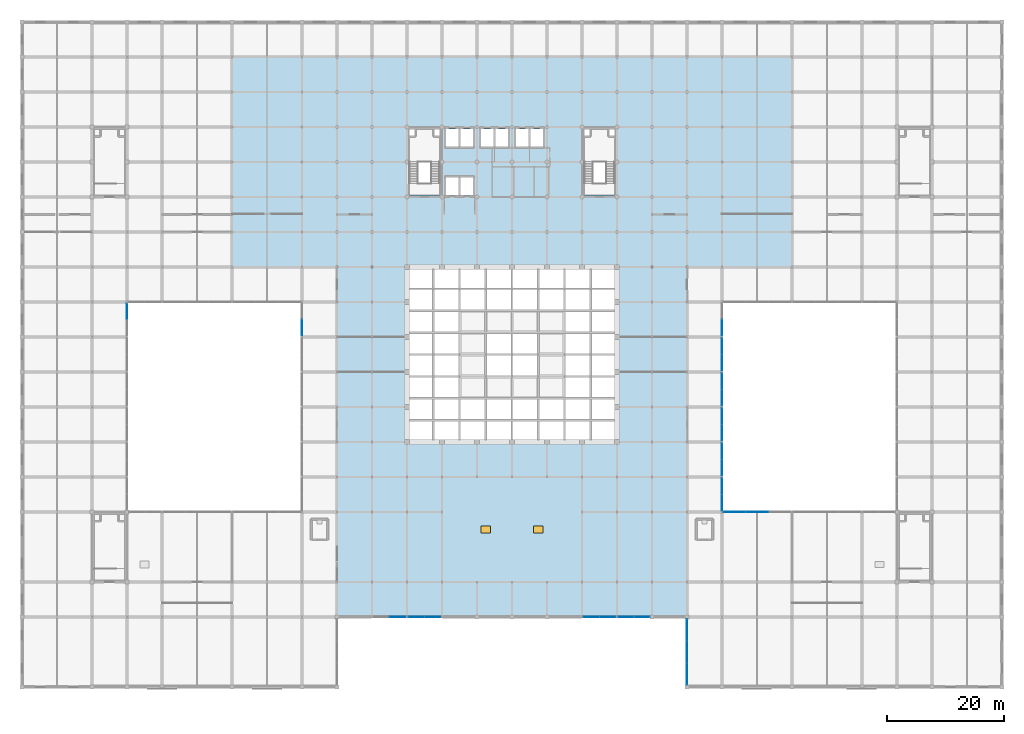
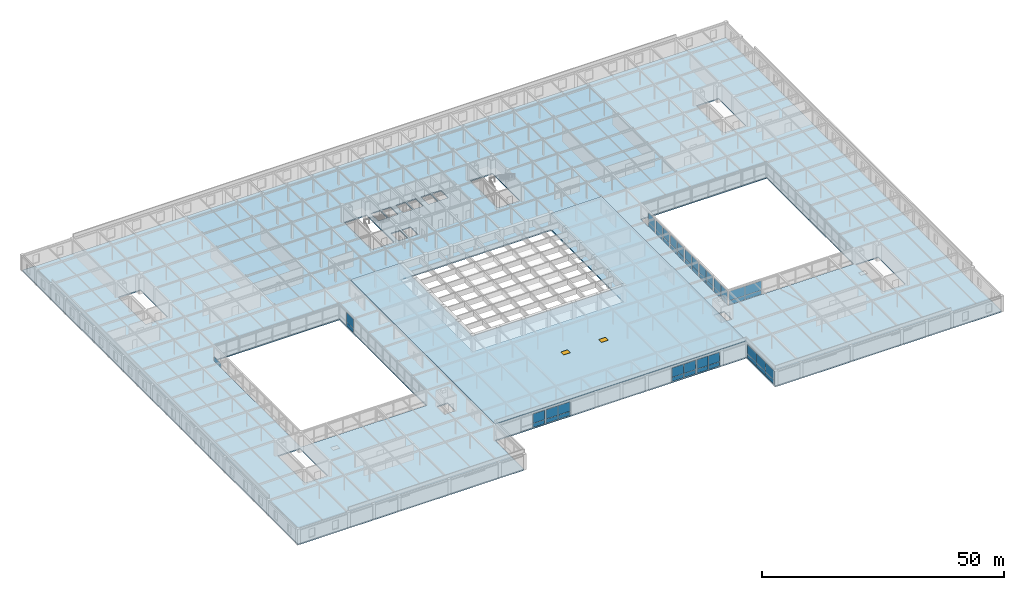
# One storey, part 97 of 111: 49 plates, 2 slabs, 2 windows, 2 openings, 14 elements without a shape of their own.
"""IFC4 building model written with IfcOpenShell, lengths in metres."""

import ifcopenshell
import ifcopenshell.guid

model = None  # the IFC model being written
_history = None  # IfcOwnerHistory: only IFC2X3 demands one
_inside = {}  # id of a spatial element -> (the spatial element, [elements in it])
_under = {}  # id of a project, library or spatial element -> (it, [spatial elements below it])
_declared = {}  # id of a project -> (the project, [libraries it declares])
_typed = {}  # id of a type object -> (the type object, [elements of that type])
_made_of = {}  # id of a material, layer set ... -> (it, [elements and type objects made of it])


def new_model(schema):
    """Start an empty IFC model of exactly this schema.

    Asked for "IFC4X3", IfcOpenShell would pick the latest addendum, in which some entities
    have other attributes; the version numbers below select the first issue.
    IFC2X3 requires an IfcOwnerHistory on every rooted entity: one is made here for all.
    """
    global model, _history
    if schema == "IFC4X3":
        model = ifcopenshell.file(schema_version=(4, 3, 0, 0))
    else:
        model = ifcopenshell.file(schema=schema)
    _inside.clear()
    _under.clear()
    _declared.clear()
    _typed.clear()
    _made_of.clear()
    _history = None
    if model.schema == "IFC2X3":
        org = make("IfcOrganization", Name="unknown")
        user = make(
            "IfcPersonAndOrganization",
            ThePerson=make("IfcPerson", FamilyName="unknown"),
            TheOrganization=org,
        )
        app = make(
            "IfcApplication",
            ApplicationDeveloper=org,
            Version="unknown",
            ApplicationFullName="unknown",
            ApplicationIdentifier="unknown",
        )
        _history = make(
            "IfcOwnerHistory",
            OwningUser=user,
            OwningApplication=app,
            ChangeAction="ADDED",
            CreationDate=0,
        )
    return model


def make(cls, **values):
    """One entity of the class cls with the attributes given. An attribute that is None is left unset."""
    return model.create_entity(
        cls, **{name: value for name, value in values.items() if value is not None}
    )


def rooted(cls, **values):
    """An entity with a GlobalId (a new one), such as an element, a storey or a relation."""
    return make(cls, GlobalId=ifcopenshell.guid.new(), OwnerHistory=_history, **values)


def si_unit(unit_type, name, prefix=None):
    """IfcSIUnit, for example si_unit("LENGTHUNIT", "METRE", prefix="MILLI")."""
    return make("IfcSIUnit", UnitType=unit_type, Prefix=prefix, Name=name)


def assignment(units):
    """IfcUnitAssignment: the units of a project."""
    return None if units is None else make("IfcUnitAssignment", Units=units)


def point(xyz):
    """IfcCartesianPoint."""
    return None if xyz is None else make("IfcCartesianPoint", Coordinates=xyz)


def direction(xyz):
    """IfcDirection."""
    return None if xyz is None else make("IfcDirection", DirectionRatios=xyz)


def frame(location, z_axis=None, x_axis=None):
    """IfcAxis2Placement3D, a coordinate frame: its origin and axes. An axis left out is left unset."""
    return make(
        "IfcAxis2Placement3D",
        Location=point(location),
        Axis=direction(z_axis),
        RefDirection=direction(x_axis),
    )


def frame_2d(location, x_axis=None):
    """IfcAxis2Placement2D, a coordinate frame in the plane: its origin and x axis."""
    return make(
        "IfcAxis2Placement2D", Location=point(location), RefDirection=direction(x_axis)
    )


def origin():
    """The frame at (0, 0, 0) with its axes left unset."""
    return frame((0.0, 0.0, 0.0))


def origin_2d():
    """The frame at (0, 0) in the plane with its x axis left unset."""
    return frame_2d((0.0, 0.0))


def place(relative_to, where):
    """IfcLocalPlacement: puts the frame where relative to a parent placement (None: the world)."""
    return make(
        "IfcLocalPlacement", PlacementRelTo=relative_to, RelativePlacement=where
    )


def context(
    kind, dimensions, precision=None, world=None, true_north=None, identifier=None
):
    """IfcGeometricRepresentationContext, for example the 3D "Model" context."""
    return make(
        "IfcGeometricRepresentationContext",
        ContextIdentifier=identifier,
        ContextType=kind,
        CoordinateSpaceDimension=dimensions,
        Precision=precision,
        WorldCoordinateSystem=world,
        TrueNorth=true_north,
    )


def subcontext(parent, identifier, kind, view, scale=None):
    """IfcGeometricRepresentationSubContext, for example "Body" below "Model"."""
    return make(
        "IfcGeometricRepresentationSubContext",
        ContextIdentifier=identifier,
        ContextType=kind,
        ParentContext=parent,
        TargetScale=scale,
        TargetView=view,
    )


def project(units=None, contexts=None):
    """IfcProject with its units and contexts."""
    return rooted(
        "IfcProject",
        Name="project",
        RepresentationContexts=contexts,
        UnitsInContext=assignment(units),
    )


def spatial(cls, under=None, at=None, **own):
    """A site, building, storey or space (cls), placed at a placement, below another one or the project."""
    s = rooted(cls, ObjectPlacement=at, **own)
    if under is not None:
        _under.setdefault(under.id(), (under, []))[1].append(s)
    return s


def polyline(points):
    """IfcPolyline through the points."""
    return make("IfcPolyline", Points=[point(p) for p in points])


def profile(cls, at=None, kind="AREA", **sizes):
    """A parametric profile (cls). Its sizes go by their IFC names, for example OverallWidth=200.0."""
    return make(cls, ProfileType=kind, Position=at, **sizes)


def rectangle(**sizes):
    """IfcRectangleProfileDef."""
    return profile("IfcRectangleProfileDef", **sizes)


def outline(outer, holes=None, kind="AREA"):
    """IfcArbitraryClosedProfileDef: a profile drawn as a closed curve; with holes, ...WithVoids."""
    if holes is None:
        return make("IfcArbitraryClosedProfileDef", ProfileType=kind, OuterCurve=outer)
    return make(
        "IfcArbitraryProfileDefWithVoids",
        ProfileType=kind,
        OuterCurve=outer,
        InnerCurves=holes,
    )


def extrude(swept, where, along, depth):
    """IfcExtrudedAreaSolid: the profile swept, set in the frame where, extruded along a direction by depth."""
    return make(
        "IfcExtrudedAreaSolid",
        SweptArea=swept,
        Position=where,
        ExtrudedDirection=direction(along),
        Depth=depth,
    )


def shape(context_of_items, identifier, shape_type, items):
    """IfcShapeRepresentation: the items that make up one representation, for example the "Body"."""
    return make(
        "IfcShapeRepresentation",
        ContextOfItems=context_of_items,
        RepresentationIdentifier=identifier,
        RepresentationType=shape_type,
        Items=items,
    )


def material(Name=None, Category=None):
    """IfcMaterial."""
    return make("IfcMaterial", Name=Name, Category=Category)


def layer(
    of_material, thickness, ventilated=None, Name=None, Category=None, Priority=None
):
    """IfcMaterialLayer: one layer of a wall or slab, of a material (None: an air gap)."""
    return make(
        "IfcMaterialLayer",
        Material=of_material,
        LayerThickness=thickness,
        IsVentilated=ventilated,
        Name=Name,
        Category=Category,
        Priority=Priority,
    )


def layer_set(layers, Name=None):
    """IfcMaterialLayerSet."""
    return make("IfcMaterialLayerSet", MaterialLayers=layers, LayerSetName=Name)


def made_of(thing, what):
    """Note that an element or type object is made of a material, layer set ...; save() writes the relation."""
    if what is not None:
        _made_of.setdefault(what.id(), (what, []))[1].append(thing)
    return thing


def type_object(cls, material=None, **own):
    """A type object (cls), such as IfcWallType, which elements share."""
    return made_of(rooted(cls, **own), material)


def element(
    cls,
    number,
    at=None,
    inside=None,
    cuts=None,
    type_object=None,
    material=None,
    context=None,
    identifier="Body",
    shape_type=None,
    held_by="IfcProductDefinitionShape",
    body=None,
    shapes=None,
    **own,
):
    """One element of the class cls, such as IfcWall. Its Tag is "e" and its number.

    at: its placement. inside: the storey or other place that contains it. cuts: it is an
    opening in that element (IfcRelVoidsElement). A single representation is given by context,
    identifier, shape_type and body (its items); several are given by shapes. held_by: the class
    of the entity that holds the representations. save() writes the other relations.
    """
    e = rooted(cls, Tag="e%d" % number, ObjectPlacement=at, **own)
    if body is not None:
        shapes = [shape(context, identifier, shape_type, body)]
    if shapes is not None:
        e.Representation = make(held_by, Representations=shapes)
    if inside is not None:
        _inside.setdefault(inside.id(), (inside, []))[1].append(e)
    if cuts is not None:
        rooted(
            "IfcRelVoidsElement", RelatingBuildingElement=cuts, RelatedOpeningElement=e
        )
    if type_object is not None:
        _typed.setdefault(type_object.id(), (type_object, []))[1].append(e)
    return made_of(e, material)


def fill(opening, filler):
    """IfcRelFillsElement: the door or window that sits in an opening."""
    return rooted(
        "IfcRelFillsElement",
        RelatingOpeningElement=opening,
        RelatedBuildingElement=filler,
    )


def aggregate(whole, parts):
    """IfcRelAggregates: a whole, such as a stair, and the parts it consists of."""
    return rooted("IfcRelAggregates", RelatingObject=whole, RelatedObjects=parts)


def save(model, path):
    """Write the relations noted so far, then the file.

    IfcRelAggregates (storeys below a building ...), IfcRelContainedInSpatialStructure (elements
    in a storey), IfcRelDefinesByType, IfcRelAssociatesMaterial and IfcRelDeclares: one each for
    every whole, place, type object, material and project.
    """
    for whole, parts in _under.values():
        aggregate(whole, parts)
    for where, things in _inside.values():
        rooted(
            "IfcRelContainedInSpatialStructure",
            RelatedElements=things,
            RelatingStructure=where,
        )
    for kind, things in _typed.values():
        rooted("IfcRelDefinesByType", RelatedObjects=things, RelatingType=kind)
    for what, things in _made_of.values():
        rooted("IfcRelAssociatesMaterial", RelatedObjects=things, RelatingMaterial=what)
    for by, libraries in _declared.values():
        rooted("IfcRelDeclares", RelatingContext=by, RelatedDefinitions=libraries)
    model.write(path)


model = new_model("IFC4")

# Units and contexts
model_context = context("Model", 3, precision=1e-05, world=origin(), true_north=direction((0.0, 1.0)))
body_context = subcontext(model_context, "Body", "Model", "MODEL_VIEW")
ifc_project = project(units=[si_unit("LENGTHUNIT", "METRE"), si_unit("AREAUNIT", "SQUARE_METRE"), si_unit("VOLUMEUNIT", "CUBIC_METRE"), si_unit("PLANEANGLEUNIT", "RADIAN"), si_unit("MASSUNIT", "GRAM", prefix="KILO")], contexts=[model_context])

# Site, building, storey
site_placement = place(None, origin())
site = spatial("IfcSite", under=ifc_project, at=site_placement, CompositionType="ELEMENT")
building_placement = place(site_placement, origin())
building = spatial("IfcBuilding", under=site, at=building_placement, Name="Zlatovratsky Civic Hall", CompositionType="ELEMENT")
storey_placement = place(building_placement, frame((0.0, 0.0, 16.5)))
storey = spatial("IfcBuildingStorey", under=building, at=storey_placement, Name="L04", CompositionType="ELEMENT", Elevation=16.5)

# Curtain wall, plate
ifc_material_1 = material(Name="Anodised bronze aluminium", Category="aluminium")
ifc_layer_1 = layer(ifc_material_1, 0.159912109375)
ifc_layer_set_1 = layer_set([ifc_layer_1], Name="Anodised bronze aluminium")
curtain_wall_type_1 = type_object("IfcCurtainWallType", Name="CurtainWall_Bronze_5750x3550_18", PredefinedType="NOTDEFINED", material=ifc_layer_set_1)
curtain_wall_1_placement = place(storey_placement, origin())
curtain_wall_1 = element("IfcCurtainWall", 1, at=curtain_wall_1_placement, inside=storey, type_object=curtain_wall_type_1, Name="CW-104", PredefinedType="NOTDEFINED")
ifc_material_2 = material(Name="Low-E laminated double glazing", Category="glass")
ifc_layer_2 = layer(ifc_material_2, 0.02392578125)
ifc_layer_set_2 = layer_set([ifc_layer_2], Name="Low-E laminated double glazing")
plate_type_1 = type_object("IfcPlateType", Name="Panel_CourtGlazing_24", PredefinedType="CURTAIN_PANEL", material=ifc_layer_set_2)
plate_1_placement = place(storey_placement, frame((18.0, 64.422607421875, 0.06005859375), z_axis=(0.0, 0.0, 1.0), x_axis=(0.0, 1.0, 0.0)))
plate_1 = element("IfcPlate", 2, at=plate_1_placement, type_object=plate_type_1, Name="CW-18 panel 2.1", PredefinedType="CURTAIN_PANEL", context=body_context, shape_type="SweptSolid", body=[
    extrude(rectangle(XDim=2.784912109375, YDim=0.02392578125, at=origin_2d()), origin(), (0.0, 0.0, 1.0), 1.010009765625),
])
aggregate(curtain_wall_1, [plate_1])

# Curtain wall, plates
curtain_wall_2_placement = place(storey_placement, origin())
curtain_wall_2 = element("IfcCurtainWall", 3, at=curtain_wall_2_placement, inside=storey, type_object=curtain_wall_type_1, Name="CW-110", PredefinedType="NOTDEFINED")
plate_2_placement = place(storey_placement, frame((48.0, 61.577392578125, 0.06005859375), z_axis=(0.0, 0.0, 1.0), x_axis=(0.0, 1.0, 0.0)))
plate_2 = element("IfcPlate", 4, at=plate_2_placement, type_object=plate_type_1, Name="CW-18 panel 1.1", PredefinedType="CURTAIN_PANEL", context=body_context, shape_type="SweptSolid", body=[
    extrude(rectangle(XDim=2.784912109375, YDim=0.02392578125, at=origin_2d()), origin(), (0.0, 0.0, 1.0), 1.010009765625),
])
plate_3_placement = place(storey_placement, frame((48.0, 61.577392578125, 1.1298828125), z_axis=(0.0, 0.0, 1.0), x_axis=(0.0, 1.0, 0.0)))
plate_3 = element("IfcPlate", 5, at=plate_3_placement, type_object=plate_type_1, Name="CW-18 panel 1.2", PredefinedType="CURTAIN_PANEL", context=body_context, shape_type="SweptSolid", body=[
    extrude(rectangle(XDim=2.784912109375, YDim=0.02392578125, at=origin_2d()), origin(), (0.0, 0.0, 1.0), 2.360107421875),
])
aggregate(curtain_wall_2, [plate_2, plate_3])

ifc_layer_3 = layer(ifc_material_1, 0.159912109375)
ifc_layer_set_3 = layer_set([ifc_layer_3], Name="Anodised bronze aluminium")
curtain_wall_type_2 = type_object("IfcCurtainWallType", Name="CurtainWall_Bronze_11750x3550_17", PredefinedType="NOTDEFINED", material=ifc_layer_set_3)
curtain_wall_3_placement = place(storey_placement, origin())
curtain_wall_3 = element("IfcCurtainWall", 6, at=curtain_wall_3_placement, inside=storey, type_object=curtain_wall_type_2, Name="CW-111", PredefinedType="NOTDEFINED")
plate_4_placement = place(storey_placement, frame((122.098388671875, 30.0, 0.06005859375), z_axis=(0.0, 0.0, 1.0), x_axis=(1.0, 0.0, 0.0)))
plate_4 = element("IfcPlate", 7, at=plate_4_placement, type_object=plate_type_1, Name="CW-17 panel 1.1", PredefinedType="CURTAIN_PANEL", context=body_context, shape_type="SweptSolid", body=[
    extrude(rectangle(XDim=3.82666015625, YDim=0.02392578125, at=origin_2d()), origin(), (0.0, 0.0, 1.0), 1.010009765625),
])
plate_5_placement = place(storey_placement, frame((122.098388671875, 30.0, 1.1298828125), z_axis=(0.0, 0.0, 1.0), x_axis=(1.0, 0.0, 0.0)))
plate_5 = element("IfcPlate", 8, at=plate_5_placement, type_object=plate_type_1, Name="CW-17 panel 1.2", PredefinedType="CURTAIN_PANEL", context=body_context, shape_type="SweptSolid", body=[
    extrude(rectangle(XDim=3.82666015625, YDim=0.02392578125, at=origin_2d()), origin(), (0.0, 0.0, 1.0), 2.360107421875),
])
plate_6_placement = place(storey_placement, frame((126.0, 30.0, 0.06005859375), z_axis=(0.0, 0.0, 1.0), x_axis=(1.0, 0.0, 0.0)))
plate_6 = element("IfcPlate", 9, at=plate_6_placement, type_object=plate_type_1, Name="CW-17 panel 2.1", PredefinedType="CURTAIN_PANEL", context=body_context, shape_type="SweptSolid", body=[
    extrude(rectangle(XDim=3.856689453125, YDim=0.02392578125, at=origin_2d()), origin(), (0.0, 0.0, 1.0), 1.010009765625),
])
plate_7_placement = place(storey_placement, frame((126.0, 30.0, 1.1298828125), z_axis=(0.0, 0.0, 1.0), x_axis=(1.0, 0.0, 0.0)))
plate_7 = element("IfcPlate", 10, at=plate_7_placement, type_object=plate_type_1, Name="CW-17 panel 2.2", PredefinedType="CURTAIN_PANEL", context=body_context, shape_type="SweptSolid", body=[
    extrude(rectangle(XDim=3.856689453125, YDim=0.02392578125, at=origin_2d()), origin(), (0.0, 0.0, 1.0), 2.360107421875),
])
aggregate(curtain_wall_3, [plate_4, plate_5, plate_6, plate_7])

curtain_wall_4_placement = place(storey_placement, origin())
curtain_wall_4 = element("IfcCurtainWall", 11, at=curtain_wall_4_placement, inside=storey, type_object=curtain_wall_type_1, Name="CW-117", PredefinedType="NOTDEFINED")
plate_8_placement = place(storey_placement, frame((120.0, 31.577392578125, 0.06005859375), z_axis=(0.0, 0.0, 1.0), x_axis=(0.0, 1.0, 0.0)))
plate_8 = element("IfcPlate", 12, at=plate_8_placement, type_object=plate_type_1, Name="CW-18 panel 1.1", PredefinedType="CURTAIN_PANEL", context=body_context, shape_type="SweptSolid", body=[
    extrude(rectangle(XDim=2.784912109375, YDim=0.02392578125, at=origin_2d()), origin(), (0.0, 0.0, 1.0), 1.010009765625),
])
plate_9_placement = place(storey_placement, frame((120.0, 31.577392578125, 1.1298828125), z_axis=(0.0, 0.0, 1.0), x_axis=(0.0, 1.0, 0.0)))
plate_9 = element("IfcPlate", 13, at=plate_9_placement, type_object=plate_type_1, Name="CW-18 panel 1.2", PredefinedType="CURTAIN_PANEL", context=body_context, shape_type="SweptSolid", body=[
    extrude(rectangle(XDim=2.784912109375, YDim=0.02392578125, at=origin_2d()), origin(), (0.0, 0.0, 1.0), 2.360107421875),
])
plate_10_placement = place(storey_placement, frame((120.0, 34.422607421875, 0.06005859375), z_axis=(0.0, 0.0, 1.0), x_axis=(0.0, 1.0, 0.0)))
plate_10 = element("IfcPlate", 14, at=plate_10_placement, type_object=plate_type_1, Name="CW-18 panel 2.1", PredefinedType="CURTAIN_PANEL", context=body_context, shape_type="SweptSolid", body=[
    extrude(rectangle(XDim=2.784912109375, YDim=0.02392578125, at=origin_2d()), origin(), (0.0, 0.0, 1.0), 1.010009765625),
])
plate_11_placement = place(storey_placement, frame((120.0, 34.422607421875, 1.1298828125), z_axis=(0.0, 0.0, 1.0), x_axis=(0.0, 1.0, 0.0)))
plate_11 = element("IfcPlate", 15, at=plate_11_placement, type_object=plate_type_1, Name="CW-18 panel 2.2", PredefinedType="CURTAIN_PANEL", context=body_context, shape_type="SweptSolid", body=[
    extrude(rectangle(XDim=2.784912109375, YDim=0.02392578125, at=origin_2d()), origin(), (0.0, 0.0, 1.0), 2.360107421875),
])
aggregate(curtain_wall_4, [plate_8, plate_9, plate_10, plate_11])

curtain_wall_5_placement = place(storey_placement, origin())
curtain_wall_5 = element("IfcCurtainWall", 16, at=curtain_wall_5_placement, inside=storey, type_object=curtain_wall_type_1, Name="CW-118", PredefinedType="NOTDEFINED")
plate_12_placement = place(storey_placement, frame((120.0, 37.577392578125, 0.06005859375), z_axis=(0.0, 0.0, 1.0), x_axis=(0.0, 1.0, 0.0)))
plate_12 = element("IfcPlate", 17, at=plate_12_placement, type_object=plate_type_1, Name="CW-18 panel 1.1", PredefinedType="CURTAIN_PANEL", context=body_context, shape_type="SweptSolid", body=[
    extrude(rectangle(XDim=2.784912109375, YDim=0.02392578125, at=origin_2d()), origin(), (0.0, 0.0, 1.0), 1.010009765625),
])
plate_13_placement = place(storey_placement, frame((120.0, 37.577392578125, 1.1298828125), z_axis=(0.0, 0.0, 1.0), x_axis=(0.0, 1.0, 0.0)))
plate_13 = element("IfcPlate", 18, at=plate_13_placement, type_object=plate_type_1, Name="CW-18 panel 1.2", PredefinedType="CURTAIN_PANEL", context=body_context, shape_type="SweptSolid", body=[
    extrude(rectangle(XDim=2.784912109375, YDim=0.02392578125, at=origin_2d()), origin(), (0.0, 0.0, 1.0), 2.360107421875),
])
plate_14_placement = place(storey_placement, frame((120.0, 40.422607421875, 0.06005859375), z_axis=(0.0, 0.0, 1.0), x_axis=(0.0, 1.0, 0.0)))
plate_14 = element("IfcPlate", 19, at=plate_14_placement, type_object=plate_type_1, Name="CW-18 panel 2.1", PredefinedType="CURTAIN_PANEL", context=body_context, shape_type="SweptSolid", body=[
    extrude(rectangle(XDim=2.784912109375, YDim=0.02392578125, at=origin_2d()), origin(), (0.0, 0.0, 1.0), 1.010009765625),
])
plate_15_placement = place(storey_placement, frame((120.0, 40.422607421875, 1.1298828125), z_axis=(0.0, 0.0, 1.0), x_axis=(0.0, 1.0, 0.0)))
plate_15 = element("IfcPlate", 20, at=plate_15_placement, type_object=plate_type_1, Name="CW-18 panel 2.2", PredefinedType="CURTAIN_PANEL", context=body_context, shape_type="SweptSolid", body=[
    extrude(rectangle(XDim=2.784912109375, YDim=0.02392578125, at=origin_2d()), origin(), (0.0, 0.0, 1.0), 2.360107421875),
])
aggregate(curtain_wall_5, [plate_12, plate_13, plate_14, plate_15])

curtain_wall_6_placement = place(storey_placement, origin())
curtain_wall_6 = element("IfcCurtainWall", 21, at=curtain_wall_6_placement, inside=storey, type_object=curtain_wall_type_1, Name="CW-119", PredefinedType="NOTDEFINED")
plate_16_placement = place(storey_placement, frame((120.0, 43.577392578125, 0.06005859375), z_axis=(0.0, 0.0, 1.0), x_axis=(0.0, 1.0, 0.0)))
plate_16 = element("IfcPlate", 22, at=plate_16_placement, type_object=plate_type_1, Name="CW-18 panel 1.1", PredefinedType="CURTAIN_PANEL", context=body_context, shape_type="SweptSolid", body=[
    extrude(rectangle(XDim=2.784912109375, YDim=0.02392578125, at=origin_2d()), origin(), (0.0, 0.0, 1.0), 1.010009765625),
])
plate_17_placement = place(storey_placement, frame((120.0, 43.577392578125, 1.1298828125), z_axis=(0.0, 0.0, 1.0), x_axis=(0.0, 1.0, 0.0)))
plate_17 = element("IfcPlate", 23, at=plate_17_placement, type_object=plate_type_1, Name="CW-18 panel 1.2", PredefinedType="CURTAIN_PANEL", context=body_context, shape_type="SweptSolid", body=[
    extrude(rectangle(XDim=2.784912109375, YDim=0.02392578125, at=origin_2d()), origin(), (0.0, 0.0, 1.0), 2.360107421875),
])
plate_18_placement = place(storey_placement, frame((120.0, 46.422607421875, 0.06005859375), z_axis=(0.0, 0.0, 1.0), x_axis=(0.0, 1.0, 0.0)))
plate_18 = element("IfcPlate", 24, at=plate_18_placement, type_object=plate_type_1, Name="CW-18 panel 2.1", PredefinedType="CURTAIN_PANEL", context=body_context, shape_type="SweptSolid", body=[
    extrude(rectangle(XDim=2.784912109375, YDim=0.02392578125, at=origin_2d()), origin(), (0.0, 0.0, 1.0), 1.010009765625),
])
plate_19_placement = place(storey_placement, frame((120.0, 46.422607421875, 1.1298828125), z_axis=(0.0, 0.0, 1.0), x_axis=(0.0, 1.0, 0.0)))
plate_19 = element("IfcPlate", 25, at=plate_19_placement, type_object=plate_type_1, Name="CW-18 panel 2.2", PredefinedType="CURTAIN_PANEL", context=body_context, shape_type="SweptSolid", body=[
    extrude(rectangle(XDim=2.784912109375, YDim=0.02392578125, at=origin_2d()), origin(), (0.0, 0.0, 1.0), 2.360107421875),
])
aggregate(curtain_wall_6, [plate_16, plate_17, plate_18, plate_19])

curtain_wall_7_placement = place(storey_placement, origin())
curtain_wall_7 = element("IfcCurtainWall", 26, at=curtain_wall_7_placement, inside=storey, type_object=curtain_wall_type_1, Name="CW-120", PredefinedType="NOTDEFINED")
plate_20_placement = place(storey_placement, frame((120.0, 49.577392578125, 0.06005859375), z_axis=(0.0, 0.0, 1.0), x_axis=(0.0, 1.0, 0.0)))
plate_20 = element("IfcPlate", 27, at=plate_20_placement, type_object=plate_type_1, Name="CW-18 panel 1.1", PredefinedType="CURTAIN_PANEL", context=body_context, shape_type="SweptSolid", body=[
    extrude(rectangle(XDim=2.784912109375, YDim=0.02392578125, at=origin_2d()), origin(), (0.0, 0.0, 1.0), 1.010009765625),
])
plate_21_placement = place(storey_placement, frame((120.0, 49.577392578125, 1.1298828125), z_axis=(0.0, 0.0, 1.0), x_axis=(0.0, 1.0, 0.0)))
plate_21 = element("IfcPlate", 28, at=plate_21_placement, type_object=plate_type_1, Name="CW-18 panel 1.2", PredefinedType="CURTAIN_PANEL", context=body_context, shape_type="SweptSolid", body=[
    extrude(rectangle(XDim=2.784912109375, YDim=0.02392578125, at=origin_2d()), origin(), (0.0, 0.0, 1.0), 2.360107421875),
])
plate_22_placement = place(storey_placement, frame((120.0, 52.422607421875, 0.06005859375), z_axis=(0.0, 0.0, 1.0), x_axis=(0.0, 1.0, 0.0)))
plate_22 = element("IfcPlate", 29, at=plate_22_placement, type_object=plate_type_1, Name="CW-18 panel 2.1", PredefinedType="CURTAIN_PANEL", context=body_context, shape_type="SweptSolid", body=[
    extrude(rectangle(XDim=2.784912109375, YDim=0.02392578125, at=origin_2d()), origin(), (0.0, 0.0, 1.0), 1.010009765625),
])
plate_23_placement = place(storey_placement, frame((120.0, 52.422607421875, 1.1298828125), z_axis=(0.0, 0.0, 1.0), x_axis=(0.0, 1.0, 0.0)))
plate_23 = element("IfcPlate", 30, at=plate_23_placement, type_object=plate_type_1, Name="CW-18 panel 2.2", PredefinedType="CURTAIN_PANEL", context=body_context, shape_type="SweptSolid", body=[
    extrude(rectangle(XDim=2.784912109375, YDim=0.02392578125, at=origin_2d()), origin(), (0.0, 0.0, 1.0), 2.360107421875),
])
aggregate(curtain_wall_7, [plate_20, plate_21, plate_22, plate_23])

curtain_wall_8_placement = place(storey_placement, origin())
curtain_wall_8 = element("IfcCurtainWall", 31, at=curtain_wall_8_placement, inside=storey, type_object=curtain_wall_type_1, Name="CW-121", PredefinedType="NOTDEFINED")
plate_24_placement = place(storey_placement, frame((120.0, 55.577392578125, 0.06005859375), z_axis=(0.0, 0.0, 1.0), x_axis=(0.0, 1.0, 0.0)))
plate_24 = element("IfcPlate", 32, at=plate_24_placement, type_object=plate_type_1, Name="CW-18 panel 1.1", PredefinedType="CURTAIN_PANEL", context=body_context, shape_type="SweptSolid", body=[
    extrude(rectangle(XDim=2.784912109375, YDim=0.02392578125, at=origin_2d()), origin(), (0.0, 0.0, 1.0), 1.010009765625),
])
plate_25_placement = place(storey_placement, frame((120.0, 55.577392578125, 1.1298828125), z_axis=(0.0, 0.0, 1.0), x_axis=(0.0, 1.0, 0.0)))
plate_25 = element("IfcPlate", 33, at=plate_25_placement, type_object=plate_type_1, Name="CW-18 panel 1.2", PredefinedType="CURTAIN_PANEL", context=body_context, shape_type="SweptSolid", body=[
    extrude(rectangle(XDim=2.784912109375, YDim=0.02392578125, at=origin_2d()), origin(), (0.0, 0.0, 1.0), 2.360107421875),
])
plate_26_placement = place(storey_placement, frame((120.0, 58.422607421875, 0.06005859375), z_axis=(0.0, 0.0, 1.0), x_axis=(0.0, 1.0, 0.0)))
plate_26 = element("IfcPlate", 34, at=plate_26_placement, type_object=plate_type_1, Name="CW-18 panel 2.1", PredefinedType="CURTAIN_PANEL", context=body_context, shape_type="SweptSolid", body=[
    extrude(rectangle(XDim=2.784912109375, YDim=0.02392578125, at=origin_2d()), origin(), (0.0, 0.0, 1.0), 1.010009765625),
])
plate_27_placement = place(storey_placement, frame((120.0, 58.422607421875, 1.1298828125), z_axis=(0.0, 0.0, 1.0), x_axis=(0.0, 1.0, 0.0)))
plate_27 = element("IfcPlate", 35, at=plate_27_placement, type_object=plate_type_1, Name="CW-18 panel 2.2", PredefinedType="CURTAIN_PANEL", context=body_context, shape_type="SweptSolid", body=[
    extrude(rectangle(XDim=2.784912109375, YDim=0.02392578125, at=origin_2d()), origin(), (0.0, 0.0, 1.0), 2.360107421875),
])
aggregate(curtain_wall_8, [plate_24, plate_25, plate_26, plate_27])

curtain_wall_9_placement = place(storey_placement, origin())
curtain_wall_9 = element("IfcCurtainWall", 36, at=curtain_wall_9_placement, inside=storey, type_object=curtain_wall_type_1, Name="CW-122", PredefinedType="NOTDEFINED")
plate_28_placement = place(storey_placement, frame((120.0, 61.577392578125, 0.06005859375), z_axis=(0.0, 0.0, 1.0), x_axis=(0.0, 1.0, 0.0)))
plate_28 = element("IfcPlate", 37, at=plate_28_placement, type_object=plate_type_1, Name="CW-18 panel 1.1", PredefinedType="CURTAIN_PANEL", context=body_context, shape_type="SweptSolid", body=[
    extrude(rectangle(XDim=2.784912109375, YDim=0.02392578125, at=origin_2d()), origin(), (0.0, 0.0, 1.0), 1.010009765625),
])
plate_29_placement = place(storey_placement, frame((120.0, 61.577392578125, 1.1298828125), z_axis=(0.0, 0.0, 1.0), x_axis=(0.0, 1.0, 0.0)))
plate_29 = element("IfcPlate", 38, at=plate_29_placement, type_object=plate_type_1, Name="CW-18 panel 1.2", PredefinedType="CURTAIN_PANEL", context=body_context, shape_type="SweptSolid", body=[
    extrude(rectangle(XDim=2.784912109375, YDim=0.02392578125, at=origin_2d()), origin(), (0.0, 0.0, 1.0), 2.360107421875),
])
aggregate(curtain_wall_9, [plate_28, plate_29])

ifc_layer_4 = layer(ifc_material_1, 0.159912109375)
ifc_layer_set_4 = layer_set([ifc_layer_4], Name="Anodised bronze aluminium")
curtain_wall_type_3 = type_object("IfcCurtainWallType", Name="CurtainWall_Bronze_11300x3550_13", PredefinedType="NOTDEFINED", material=ifc_layer_set_4)
curtain_wall_10_placement = place(storey_placement, origin())
curtain_wall_10 = element("IfcCurtainWall", 39, at=curtain_wall_10_placement, inside=storey, type_object=curtain_wall_type_3, Name="CW-088", PredefinedType="NOTDEFINED")
ifc_material_3 = material(Name="Solar-control triple glazing", Category="glass")
ifc_layer_5 = layer(ifc_material_3, 0.028076171875)
ifc_layer_set_5 = layer_set([ifc_layer_5], Name="Solar-control triple glazing")
plate_type_2 = type_object("IfcPlateType", Name="Panel_TowerTripleGlazing_28", PredefinedType="CURTAIN_PANEL", material=ifc_layer_set_5)
plate_30_placement = place(storey_placement, frame((114.0, 2.248291015625, 0.06005859375), z_axis=(0.0, 0.0, 1.0), x_axis=(0.0, 1.0, 0.0)))
plate_30 = element("IfcPlate", 40, at=plate_30_placement, type_object=plate_type_2, Name="CW-13 panel 1.1", PredefinedType="CURTAIN_PANEL", context=body_context, shape_type="SweptSolid", body=[
    extrude(rectangle(XDim=3.6767578125, YDim=0.028076171875, at=origin_2d()), origin(), (0.0, 0.0, 1.0), 1.010009765625),
])
plate_31_placement = place(storey_placement, frame((114.0, 2.248291015625, 1.1298828125), z_axis=(0.0, 0.0, 1.0), x_axis=(0.0, 1.0, 0.0)))
plate_31 = element("IfcPlate", 41, at=plate_31_placement, type_object=plate_type_2, Name="CW-13 panel 1.2", PredefinedType="CURTAIN_PANEL", context=body_context, shape_type="SweptSolid", body=[
    extrude(rectangle(XDim=3.6767578125, YDim=0.028076171875, at=origin_2d()), origin(), (0.0, 0.0, 1.0), 2.360107421875),
])
plate_32_placement = place(storey_placement, frame((114.0, 6.0, 0.06005859375), z_axis=(0.0, 0.0, 1.0), x_axis=(0.0, 1.0, 0.0)))
plate_32 = element("IfcPlate", 42, at=plate_32_placement, type_object=plate_type_2, Name="CW-13 panel 2.1", PredefinedType="CURTAIN_PANEL", context=body_context, shape_type="SweptSolid", body=[
    extrude(rectangle(XDim=3.706787109375, YDim=0.028076171875, at=origin_2d()), origin(), (0.0, 0.0, 1.0), 1.010009765625),
])
plate_33_placement = place(storey_placement, frame((114.0, 6.0, 1.1298828125), z_axis=(0.0, 0.0, 1.0), x_axis=(0.0, 1.0, 0.0)))
plate_33 = element("IfcPlate", 43, at=plate_33_placement, type_object=plate_type_2, Name="CW-13 panel 2.2", PredefinedType="CURTAIN_PANEL", context=body_context, shape_type="SweptSolid", body=[
    extrude(rectangle(XDim=3.706787109375, YDim=0.028076171875, at=origin_2d()), origin(), (0.0, 0.0, 1.0), 2.360107421875),
])
plate_34_placement = place(storey_placement, frame((114.0, 9.751708984375, 0.06005859375), z_axis=(0.0, 0.0, 1.0), x_axis=(0.0, 1.0, 0.0)))
plate_34 = element("IfcPlate", 44, at=plate_34_placement, type_object=plate_type_2, Name="CW-13 panel 3.1", PredefinedType="CURTAIN_PANEL", context=body_context, shape_type="SweptSolid", body=[
    extrude(rectangle(XDim=3.6767578125, YDim=0.028076171875, at=origin_2d()), origin(), (0.0, 0.0, 1.0), 1.010009765625),
])
plate_35_placement = place(storey_placement, frame((114.0, 9.751708984375, 1.1298828125), z_axis=(0.0, 0.0, 1.0), x_axis=(0.0, 1.0, 0.0)))
plate_35 = element("IfcPlate", 45, at=plate_35_placement, type_object=plate_type_2, Name="CW-13 panel 3.2", PredefinedType="CURTAIN_PANEL", context=body_context, shape_type="SweptSolid", body=[
    extrude(rectangle(XDim=3.6767578125, YDim=0.028076171875, at=origin_2d()), origin(), (0.0, 0.0, 1.0), 2.360107421875),
])
aggregate(curtain_wall_10, [plate_30, plate_31, plate_32, plate_33, plate_34, plate_35])

ifc_layer_6 = layer(ifc_material_1, 0.159912109375)
ifc_layer_set_6 = layer_set([ifc_layer_6], Name="Anodised bronze aluminium")
curtain_wall_type_4 = type_object("IfcCurtainWallType", Name="CurtainWall_Bronze_5750x3550_14", PredefinedType="NOTDEFINED", material=ifc_layer_set_6)
curtain_wall_11_placement = place(storey_placement, origin())
curtain_wall_11 = element("IfcCurtainWall", 46, at=curtain_wall_11_placement, inside=storey, type_object=curtain_wall_type_4, Name="CW-089", PredefinedType="NOTDEFINED")
plate_36_placement = place(storey_placement, frame((64.422607421875, 12.0, 0.06005859375), z_axis=(0.0, 0.0, 1.0), x_axis=(1.0, 0.0, 0.0)))
plate_36 = element("IfcPlate", 47, at=plate_36_placement, type_object=plate_type_2, Name="CW-14 panel 2.1", PredefinedType="CURTAIN_PANEL", context=body_context, shape_type="SweptSolid", body=[
    extrude(rectangle(XDim=2.784912109375, YDim=0.028076171875, at=origin_2d()), origin(), (0.0, 0.0, 1.0), 1.010009765625),
])
plate_37_placement = place(storey_placement, frame((64.422607421875, 12.0, 1.1298828125), z_axis=(0.0, 0.0, 1.0), x_axis=(1.0, 0.0, 0.0)))
plate_37 = element("IfcPlate", 48, at=plate_37_placement, type_object=plate_type_2, Name="CW-14 panel 2.2", PredefinedType="CURTAIN_PANEL", context=body_context, shape_type="SweptSolid", body=[
    extrude(rectangle(XDim=2.784912109375, YDim=0.028076171875, at=origin_2d()), origin(), (0.0, 0.0, 1.0), 2.360107421875),
])
aggregate(curtain_wall_11, [plate_36, plate_37])

curtain_wall_12_placement = place(storey_placement, origin())
curtain_wall_12 = element("IfcCurtainWall", 49, at=curtain_wall_12_placement, inside=storey, type_object=curtain_wall_type_4, Name="CW-090", PredefinedType="NOTDEFINED")
plate_38_placement = place(storey_placement, frame((67.577392578125, 12.0, 0.06005859375), z_axis=(0.0, 0.0, 1.0), x_axis=(1.0, 0.0, 0.0)))
plate_38 = element("IfcPlate", 50, at=plate_38_placement, type_object=plate_type_2, Name="CW-14 panel 1.1", PredefinedType="CURTAIN_PANEL", context=body_context, shape_type="SweptSolid", body=[
    extrude(rectangle(XDim=2.784912109375, YDim=0.028076171875, at=origin_2d()), origin(), (0.0, 0.0, 1.0), 1.010009765625),
])
plate_39_placement = place(storey_placement, frame((67.577392578125, 12.0, 1.1298828125), z_axis=(0.0, 0.0, 1.0), x_axis=(1.0, 0.0, 0.0)))
plate_39 = element("IfcPlate", 51, at=plate_39_placement, type_object=plate_type_2, Name="CW-14 panel 1.2", PredefinedType="CURTAIN_PANEL", context=body_context, shape_type="SweptSolid", body=[
    extrude(rectangle(XDim=2.784912109375, YDim=0.028076171875, at=origin_2d()), origin(), (0.0, 0.0, 1.0), 2.360107421875),
])
plate_40_placement = place(storey_placement, frame((70.422607421875, 12.0, 0.06005859375), z_axis=(0.0, 0.0, 1.0), x_axis=(1.0, 0.0, 0.0)))
plate_40 = element("IfcPlate", 52, at=plate_40_placement, type_object=plate_type_2, Name="CW-14 panel 2.1", PredefinedType="CURTAIN_PANEL", context=body_context, shape_type="SweptSolid", body=[
    extrude(rectangle(XDim=2.784912109375, YDim=0.028076171875, at=origin_2d()), origin(), (0.0, 0.0, 1.0), 1.010009765625),
])
plate_41_placement = place(storey_placement, frame((70.422607421875, 12.0, 1.1298828125), z_axis=(0.0, 0.0, 1.0), x_axis=(1.0, 0.0, 0.0)))
plate_41 = element("IfcPlate", 53, at=plate_41_placement, type_object=plate_type_2, Name="CW-14 panel 2.2", PredefinedType="CURTAIN_PANEL", context=body_context, shape_type="SweptSolid", body=[
    extrude(rectangle(XDim=2.784912109375, YDim=0.028076171875, at=origin_2d()), origin(), (0.0, 0.0, 1.0), 2.360107421875),
])
aggregate(curtain_wall_12, [plate_38, plate_39, plate_40, plate_41])

curtain_wall_13_placement = place(storey_placement, origin())
curtain_wall_13 = element("IfcCurtainWall", 54, at=curtain_wall_13_placement, inside=storey, type_object=curtain_wall_type_4, Name="CW-091", PredefinedType="NOTDEFINED")
plate_42_placement = place(storey_placement, frame((97.577392578125, 12.0, 0.06005859375), z_axis=(0.0, 0.0, 1.0), x_axis=(1.0, 0.0, 0.0)))
plate_42 = element("IfcPlate", 55, at=plate_42_placement, type_object=plate_type_2, Name="CW-14 panel 1.1", PredefinedType="CURTAIN_PANEL", context=body_context, shape_type="SweptSolid", body=[
    extrude(rectangle(XDim=2.784912109375, YDim=0.028076171875, at=origin_2d()), origin(), (0.0, 0.0, 1.0), 1.010009765625),
])
plate_43_placement = place(storey_placement, frame((97.577392578125, 12.0, 1.1298828125), z_axis=(0.0, 0.0, 1.0), x_axis=(1.0, 0.0, 0.0)))
plate_43 = element("IfcPlate", 56, at=plate_43_placement, type_object=plate_type_2, Name="CW-14 panel 1.2", PredefinedType="CURTAIN_PANEL", context=body_context, shape_type="SweptSolid", body=[
    extrude(rectangle(XDim=2.784912109375, YDim=0.028076171875, at=origin_2d()), origin(), (0.0, 0.0, 1.0), 2.360107421875),
])
plate_44_placement = place(storey_placement, frame((100.422607421875, 12.0, 0.06005859375), z_axis=(0.0, 0.0, 1.0), x_axis=(1.0, 0.0, 0.0)))
plate_44 = element("IfcPlate", 57, at=plate_44_placement, type_object=plate_type_2, Name="CW-14 panel 2.1", PredefinedType="CURTAIN_PANEL", context=body_context, shape_type="SweptSolid", body=[
    extrude(rectangle(XDim=2.784912109375, YDim=0.028076171875, at=origin_2d()), origin(), (0.0, 0.0, 1.0), 1.010009765625),
])
plate_45_placement = place(storey_placement, frame((100.422607421875, 12.0, 1.1298828125), z_axis=(0.0, 0.0, 1.0), x_axis=(1.0, 0.0, 0.0)))
plate_45 = element("IfcPlate", 58, at=plate_45_placement, type_object=plate_type_2, Name="CW-14 panel 2.2", PredefinedType="CURTAIN_PANEL", context=body_context, shape_type="SweptSolid", body=[
    extrude(rectangle(XDim=2.784912109375, YDim=0.028076171875, at=origin_2d()), origin(), (0.0, 0.0, 1.0), 2.360107421875),
])
aggregate(curtain_wall_13, [plate_42, plate_43, plate_44, plate_45])

ifc_layer_7 = layer(ifc_material_1, 0.159912109375)
ifc_layer_set_7 = layer_set([ifc_layer_7], Name="Anodised bronze aluminium")
curtain_wall_type_5 = type_object("IfcCurtainWallType", Name="CurtainWall_Bronze_5530x3550_15", PredefinedType="NOTDEFINED", material=ifc_layer_set_7)
curtain_wall_14_placement = place(storey_placement, origin())
curtain_wall_14 = element("IfcCurtainWall", 59, at=curtain_wall_14_placement, inside=storey, type_object=curtain_wall_type_5, Name="CW-092", PredefinedType="NOTDEFINED")
plate_46_placement = place(storey_placement, frame((103.521240234375, 12.0, 0.06005859375), z_axis=(0.0, 0.0, 1.0), x_axis=(1.0, 0.0, 0.0)))
plate_46 = element("IfcPlate", 60, at=plate_46_placement, type_object=plate_type_2, Name="CW-15 panel 1.1", PredefinedType="CURTAIN_PANEL", context=body_context, shape_type="SweptSolid", body=[
    extrude(rectangle(XDim=2.672607421875, YDim=0.028076171875, at=origin_2d()), origin(), (0.0, 0.0, 1.0), 1.010009765625),
])
plate_47_placement = place(storey_placement, frame((103.521240234375, 12.0, 1.1298828125), z_axis=(0.0, 0.0, 1.0), x_axis=(1.0, 0.0, 0.0)))
plate_47 = element("IfcPlate", 61, at=plate_47_placement, type_object=plate_type_2, Name="CW-15 panel 1.2", PredefinedType="CURTAIN_PANEL", context=body_context, shape_type="SweptSolid", body=[
    extrude(rectangle(XDim=2.672607421875, YDim=0.028076171875, at=origin_2d()), origin(), (0.0, 0.0, 1.0), 2.360107421875),
])
plate_48_placement = place(storey_placement, frame((106.253662109375, 12.0, 0.06005859375), z_axis=(0.0, 0.0, 1.0), x_axis=(1.0, 0.0, 0.0)))
plate_48 = element("IfcPlate", 62, at=plate_48_placement, type_object=plate_type_2, Name="CW-15 panel 2.1", PredefinedType="CURTAIN_PANEL", context=body_context, shape_type="SweptSolid", body=[
    extrude(rectangle(XDim=2.672607421875, YDim=0.028076171875, at=origin_2d()), origin(), (0.0, 0.0, 1.0), 1.010009765625),
])
plate_49_placement = place(storey_placement, frame((106.253662109375, 12.0, 1.1298828125), z_axis=(0.0, 0.0, 1.0), x_axis=(1.0, 0.0, 0.0)))
plate_49 = element("IfcPlate", 63, at=plate_49_placement, type_object=plate_type_2, Name="CW-15 panel 2.2", PredefinedType="CURTAIN_PANEL", context=body_context, shape_type="SweptSolid", body=[
    extrude(rectangle(XDim=2.672607421875, YDim=0.028076171875, at=origin_2d()), origin(), (0.0, 0.0, 1.0), 2.360107421875),
])
aggregate(curtain_wall_14, [plate_46, plate_47, plate_48, plate_49])

# Slab, openings, windows
ifc_material_4 = material(Name="Concrete C35/45 (B40)", Category="concrete")
ifc_layer_8 = layer(ifc_material_4, 0.199951171875)
ifc_layer_set_8 = layer_set([ifc_layer_8], Name="Concrete C35/45 (B40)")
slab_type_1 = type_object("IfcSlabType", Name="Slab_ChamberCofferedRoof_200", PredefinedType="ROOF", material=ifc_layer_set_8)
slab_1_placement = place(storey_placement, frame((0.0, 0.0, 4.0)))
slab_1 = element("IfcSlab", 64, at=slab_1_placement, inside=storey, type_object=slab_type_1, Name="SL-097", PredefinedType="ROOF", context=body_context, shape_type="SweptSolid", body=[
    extrude(outline(polyline([(54.0, 12.0), (114.0, 12.0), (114.0, 72.0), (102.0, 72.0), (102.0, 42.0), (66.0, 42.0), (66.0, 72.0), (54.0, 72.0), (54.0, 12.0)])), origin(), (0.0, 0.0, 1.0), 0.199951171875),
])
opening_1_placement = place(slab_1_placement, frame((79.5, 27.0, 0.0)))
opening_1 = element("IfcOpeningElement", 65, at=opening_1_placement, cuts=slab_1, Name="Opening SK-07", PredefinedType="OPENING", context=body_context, shape_type="SweptSolid", body=[
    extrude(rectangle(XDim=1.60009765625, YDim=1.199951171875, at=origin_2d()), frame((0.0, 0.0, -0.014892578125)), (0.0, 0.0, 1.0), 0.229736328125),
])
opening_2_placement = place(slab_1_placement, frame((88.5, 27.0, 0.0)))
opening_2 = element("IfcOpeningElement", 66, at=opening_2_placement, cuts=slab_1, Name="Opening SK-07", PredefinedType="OPENING", context=body_context, shape_type="SweptSolid", body=[
    extrude(rectangle(XDim=1.60009765625, YDim=1.199951171875, at=origin_2d()), frame((0.0, 0.0, -0.014892578125)), (0.0, 0.0, 1.0), 0.229736328125),
])
ifc_material_5 = material(Name="Laminated safety rooflight glazing", Category="glass")
window_type = type_object("IfcWindowType", Name="Skylight_PodiumRoofHatch_1600x1200", PartitioningType="SINGLE_PANEL", PredefinedType="SKYLIGHT", material=ifc_material_5)
window_1_placement = place(opening_1_placement, frame((0.0, 0.0, 0.14990234375)))
window_1 = element("IfcWindow", 67, at=window_1_placement, inside=storey, type_object=window_type, Name="WN-0553", OverallHeight=1.199951171875, OverallWidth=1.60009765625, PartitioningType="SINGLE_PANEL", PredefinedType="SKYLIGHT", context=body_context, shape_type="SweptSolid", body=[
    extrude(rectangle(XDim=1.60009765625, YDim=1.199951171875, at=origin_2d()), origin(), (0.0, 0.0, 1.0), 0.050048828125),
])
fill(opening_1, window_1)
window_2_placement = place(opening_2_placement, frame((0.0, 0.0, 0.14990234375)))
window_2 = element("IfcWindow", 68, at=window_2_placement, inside=storey, type_object=window_type, Name="WN-0554", OverallHeight=1.199951171875, OverallWidth=1.60009765625, PartitioningType="SINGLE_PANEL", PredefinedType="SKYLIGHT", context=body_context, shape_type="SweptSolid", body=[
    extrude(rectangle(XDim=1.60009765625, YDim=1.199951171875, at=origin_2d()), origin(), (0.0, 0.0, 1.0), 0.050048828125),
])
fill(opening_2, window_2)

# Slab
ifc_material_6 = material(Name="Concrete C30/37 (B35)", Category="concrete")
ifc_layer_9 = layer(ifc_material_6, 0.280029296875)
ifc_layer_set_9 = layer_set([ifc_layer_9], Name="Concrete C30/37 (B35)")
slab_type_2 = type_object("IfcSlabType", Name="Slab_CompactArchiveFloor_280", PredefinedType="FLOOR", material=ifc_layer_set_9)
slab_2_placement = place(storey_placement, frame((0.0, 0.0, -0.280029296875)))
element("IfcSlab", 69, at=slab_2_placement, inside=storey, type_object=slab_type_2, Name="SL-038", PredefinedType="FLOOR", context=body_context, shape_type="SweptSolid", body=[
    extrude(outline(polyline([(0.0, 0.0), (54.0, 0.0), (54.0, 12.0), (114.0, 12.0), (114.0, 0.0), (168.0, 0.0), (168.0, 114.0), (0.0, 114.0), (0.0, 0.0)]), holes=[polyline([(66.35009765625, 84.35009765625), (71.64990234375, 84.35009765625), (71.64990234375, 95.64990234375), (66.35009765625, 95.64990234375), (66.35009765625, 84.35009765625)]), polyline([(96.35009765625, 84.35009765625), (101.64990234375, 84.35009765625), (101.64990234375, 95.64990234375), (96.35009765625, 95.64990234375), (96.35009765625, 84.35009765625)]), polyline([(12.35009765625, 18.35009765625), (17.64990234375, 18.35009765625), (17.64990234375, 29.64990234375), (12.35009765625, 29.64990234375), (12.35009765625, 18.35009765625)]), polyline([(150.35009765625, 18.35009765625), (155.64990234375, 18.35009765625), (155.64990234375, 29.64990234375), (150.35009765625, 29.64990234375), (150.35009765625, 18.35009765625)]), polyline([(12.35009765625, 84.35009765625), (17.64990234375, 84.35009765625), (17.64990234375, 95.64990234375), (12.35009765625, 95.64990234375), (12.35009765625, 84.35009765625)]), polyline([(150.35009765625, 84.35009765625), (155.64990234375, 84.35009765625), (155.64990234375, 95.64990234375), (150.35009765625, 95.64990234375), (150.35009765625, 84.35009765625)]), polyline([(72.64990234375, 84.300048828125), (74.85009765625, 84.300048828125), (74.85009765625, 87.39990234375), (72.64990234375, 87.39990234375), (72.64990234375, 84.300048828125)]), polyline([(75.14990234375, 84.300048828125), (77.35009765625, 84.300048828125), (77.35009765625, 87.39990234375), (75.14990234375, 87.39990234375), (75.14990234375, 84.300048828125)]), polyline([(72.64990234375, 92.60009765625), (74.85009765625, 92.60009765625), (74.85009765625, 95.699951171875), (72.64990234375, 95.699951171875), (72.64990234375, 92.60009765625)]), polyline([(75.14990234375, 92.60009765625), (77.35009765625, 92.60009765625), (77.35009765625, 95.699951171875), (75.14990234375, 95.699951171875), (75.14990234375, 92.60009765625)]), polyline([(78.64990234375, 92.60009765625), (80.85009765625, 92.60009765625), (80.85009765625, 95.699951171875), (78.64990234375, 95.699951171875), (78.64990234375, 92.60009765625)]), polyline([(81.14990234375, 92.60009765625), (83.35009765625, 92.60009765625), (83.35009765625, 95.699951171875), (81.14990234375, 95.699951171875), (81.14990234375, 92.60009765625)]), polyline([(84.64990234375, 92.60009765625), (86.85009765625, 92.60009765625), (86.85009765625, 95.699951171875), (84.64990234375, 95.699951171875), (84.64990234375, 92.60009765625)]), polyline([(87.14990234375, 92.60009765625), (89.35009765625, 92.60009765625), (89.35009765625, 95.699951171875), (87.14990234375, 95.699951171875), (87.14990234375, 92.60009765625)]), polyline([(49.75, 25.39990234375), (52.25, 25.39990234375), (52.25, 28.60009765625), (49.75, 28.60009765625), (49.75, 25.39990234375)]), polyline([(115.75, 25.39990234375), (118.25, 25.39990234375), (118.25, 28.60009765625), (115.75, 28.60009765625), (115.75, 25.39990234375)]), polyline([(18.0, 30.0), (48.0, 30.0), (48.0, 66.0), (18.0, 66.0), (18.0, 30.0)]), polyline([(120.0, 30.0), (150.0, 30.0), (150.0, 66.0), (120.0, 66.0), (120.0, 30.0)]), polyline([(66.0, 42.0), (102.0, 42.0), (102.0, 72.0), (66.0, 72.0), (66.0, 42.0)])]), origin(), (0.0, 0.0, 1.0), 0.280029296875),
])

save(model, "model.ifc")
